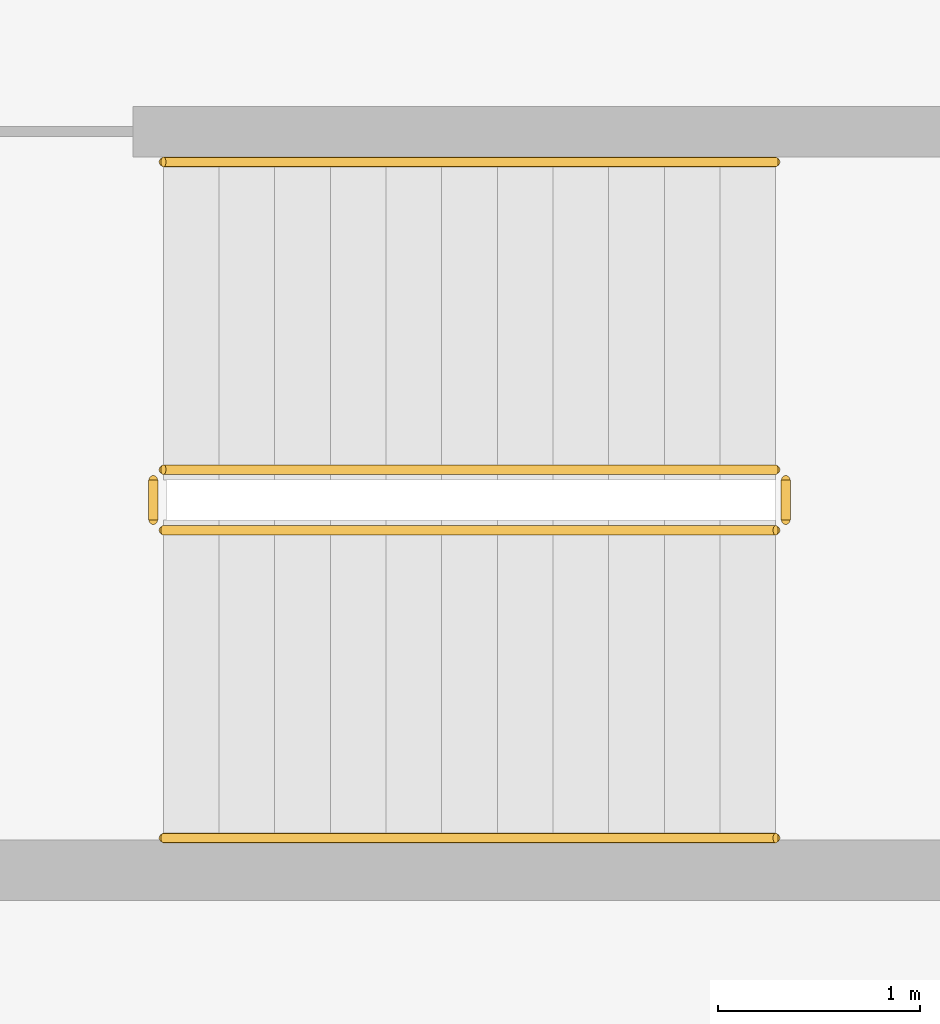
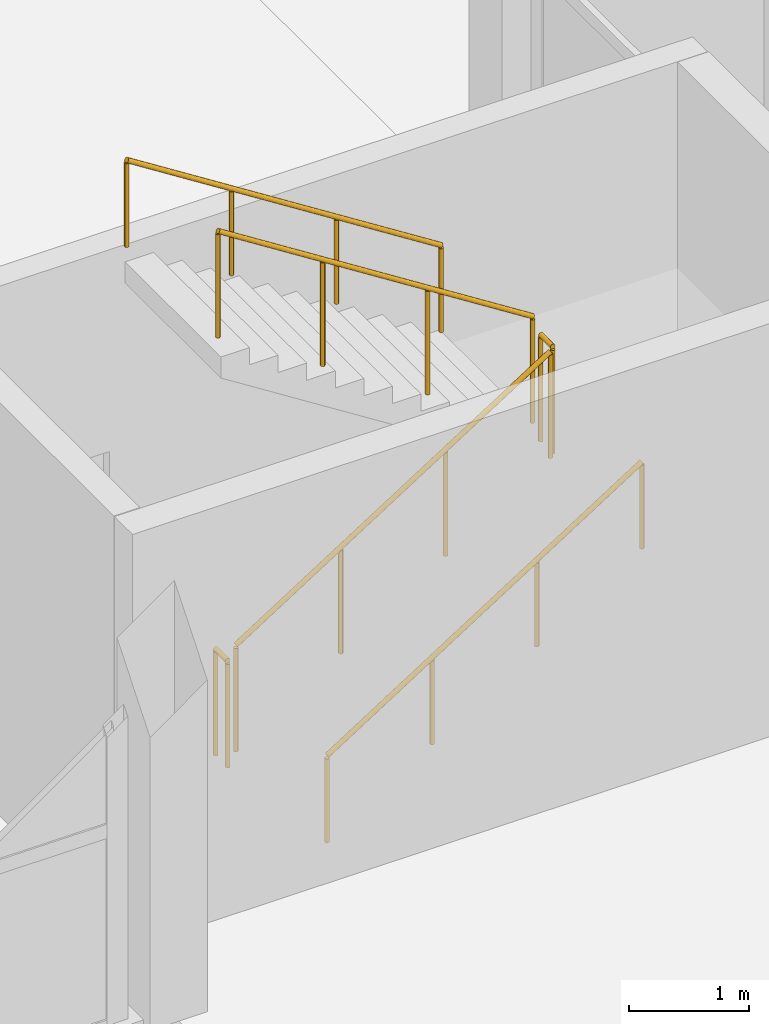
# One storey, part 79 of 83: 6 railings.
"""IFC4 building model written with IfcOpenShell, lengths in metres."""

from ifc_helpers import new_model, si_unit, direction, frame, origin, origin_2d, place, context, subcontext, project, spatial, circle, extrude, material, type_object, element, save


model = new_model("IFC4")

# Units and contexts
model_context = context("Model", 3, precision=1e-05, world=origin(), true_north=direction((0.0, 1.0)))
body_context = subcontext(model_context, "Body", "Model", "MODEL_VIEW")
ifc_project = project(units=[si_unit("LENGTHUNIT", "METRE"), si_unit("AREAUNIT", "SQUARE_METRE"), si_unit("VOLUMEUNIT", "CUBIC_METRE"), si_unit("PLANEANGLEUNIT", "RADIAN"), si_unit("MASSUNIT", "GRAM", prefix="KILO")], contexts=[model_context])

# Site, building, storey
site_placement = place(None, origin())
site = spatial("IfcSite", under=ifc_project, at=site_placement, CompositionType="ELEMENT")
building_placement = place(site_placement, origin())
building = spatial("IfcBuilding", under=site, at=building_placement, Name="Jelvoka-Kovrelna Polytechnic", CompositionType="ELEMENT")
storey_placement = place(building_placement, frame((0.0, 0.0, 13.800048828125)))
storey = spatial("IfcBuildingStorey", under=building, at=storey_placement, Name="L04", CompositionType="ELEMENT", Elevation=13.800048828125)

# Railings
ifc_material_1 = material(Name="Powder-coated steel stair guard", Category="steel")
railing_type_1 = type_object("IfcRailingType", Name="Railing_Stair_Guard_1100", PredefinedType="GUARDRAIL", material=ifc_material_1)
railing_1_placement = place(storey_placement, frame((50.25, 26.669921875, 0.175048828125)))
element("IfcRailing", 1, at=railing_1_placement, inside=storey, type_object=railing_type_1, Name="L04 ST03 stair guard 1", PredefinedType="GUARDRAIL", context=body_context, shape_type="SweptSolid", body=[
    extrude(circle(Radius=0.02392578125, at=origin_2d()), frame((0.0, 0.0, 1.076171875), z_axis=(0.843678310415, 0.0, 0.536849055634), x_axis=(0.0, 1.0, 0.0)), (0.0, 0.0, 1.0), 3.58544921875),
    extrude(circle(Radius=0.02099609375, at=origin_2d()), origin(), (0.0, 0.0, 1.0), 1.052001953125),
    extrude(circle(Radius=0.02099609375, at=origin_2d()), frame((1.00830078125, 0.0, 0.6416015625)), (0.0, 0.0, 1.0), 1.052001953125),
    extrude(circle(Radius=0.02099609375, at=origin_2d()), frame((2.0166015625, 0.0, 1.283203125)), (0.0, 0.0, 1.0), 1.052001953125),
    extrude(circle(Radius=0.02099609375, at=origin_2d()), frame((3.02490234375, 0.0, 1.9248046875)), (0.0, 0.0, 1.0), 1.052001953125),
])
railing_2_placement = place(storey_placement, frame((53.324951171875, 26.719970703125, 2.099853515625)))
element("IfcRailing", 2, at=railing_2_placement, inside=storey, type_object=railing_type_1, Name="L04 ST03 stair guard 2", PredefinedType="GUARDRAIL", context=body_context, shape_type="SweptSolid", body=[
    extrude(circle(Radius=0.02392578125, at=origin_2d()), frame((0.0, 0.0, 1.076171875), z_axis=(0.0, 1.0, 0.0), x_axis=(-1.0, 0.0, 0.0)), (0.0, 0.0, 1.0), 0.199951171875),
    extrude(circle(Radius=0.02099609375, at=origin_2d()), origin(), (0.0, 0.0, 1.0), 1.052001953125),
    extrude(circle(Radius=0.02099609375, at=origin_2d()), frame((0.0, 0.199951171875, 0.0)), (0.0, 0.0, 1.0), 1.052001953125),
])
railing_3_placement = place(storey_placement, frame((53.27490234375, 26.969970703125, 2.27490234375)))
element("IfcRailing", 3, at=railing_3_placement, inside=storey, type_object=railing_type_1, Name="L04 ST03 stair guard 3", PredefinedType="GUARDRAIL", context=body_context, shape_type="SweptSolid", body=[
    extrude(circle(Radius=0.02392578125, at=origin_2d()), frame((0.0, 0.0, 1.076171875), z_axis=(-0.84364746871, 0.0, 0.536897521451), x_axis=(0.0, -1.0, 0.0)), (0.0, 0.0, 1.0), 3.58544921875),
    extrude(circle(Radius=0.02099609375, at=origin_2d()), origin(), (0.0, 0.0, 1.0), 1.052001953125),
    extrude(circle(Radius=0.02099609375, at=origin_2d()), frame((-1.00830078125, 0.0, 0.6416015625)), (0.0, 0.0, 1.0), 1.052001953125),
    extrude(circle(Radius=0.02099609375, at=origin_2d()), frame((-2.0166015625, 0.0, 1.283447265625)), (0.0, 0.0, 1.0), 1.052001953125),
    extrude(circle(Radius=0.02099609375, at=origin_2d()), frame((-3.02490234375, 0.0, 1.925048828125)), (0.0, 0.0, 1.0), 1.052001953125),
])
railing_4_placement = place(storey_placement, frame((50.199951171875, 26.719970703125, 0.0)))
element("IfcRailing", 4, at=railing_4_placement, inside=storey, type_object=railing_type_1, Name="L04 ST03 stair guard 4", PredefinedType="GUARDRAIL", context=body_context, shape_type="SweptSolid", body=[
    extrude(circle(Radius=0.02392578125, at=origin_2d()), frame((0.0, 0.0, 1.076171875), z_axis=(0.0, 1.0, 0.0), x_axis=(-1.0, 0.0, 0.0)), (0.0, 0.0, 1.0), 0.199951171875),
    extrude(circle(Radius=0.02099609375, at=origin_2d()), origin(), (0.0, 0.0, 1.0), 1.052001953125),
    extrude(circle(Radius=0.02099609375, at=origin_2d()), frame((0.0, 0.199951171875, 0.0)), (0.0, 0.0, 1.0), 1.052001953125),
])
ifc_material_2 = material(Name="Brushed stainless steel handrail", Category="steel")
railing_type_2 = type_object("IfcRailingType", Name="Railing_Stair_Handrail_900", PredefinedType="HANDRAIL", material=ifc_material_2)
railing_5_placement = place(storey_placement, frame((50.25, 25.14990234375, 0.175048828125)))
element("IfcRailing", 5, at=railing_5_placement, inside=storey, type_object=railing_type_2, Name="L04 ST03 stair handrail 1", PredefinedType="HANDRAIL", context=body_context, shape_type="SweptSolid", body=[
    extrude(circle(Radius=0.02392578125, at=origin_2d()), frame((0.0, 0.0, 0.8759765625), z_axis=(0.843678310415, 0.0, 0.536849055634), x_axis=(0.0, 1.0, 0.0)), (0.0, 0.0, 1.0), 3.58544921875),
    extrude(circle(Radius=0.02099609375, at=origin_2d()), origin(), (0.0, 0.0, 1.0), 0.851806640625),
    extrude(circle(Radius=0.02099609375, at=origin_2d()), frame((1.00830078125, 0.0, 0.6416015625)), (0.0, 0.0, 1.0), 0.851806640625),
    extrude(circle(Radius=0.02099609375, at=origin_2d()), frame((2.0166015625, 0.0, 1.283203125)), (0.0, 0.0, 1.0), 0.851806640625),
    extrude(circle(Radius=0.02099609375, at=origin_2d()), frame((3.02490234375, 0.0, 1.9248046875)), (0.0, 0.0, 1.0), 0.851806640625),
])
railing_6_placement = place(storey_placement, frame((53.27490234375, 28.489990234375, 2.27490234375)))
element("IfcRailing", 6, at=railing_6_placement, inside=storey, type_object=railing_type_2, Name="L04 ST03 stair handrail 2", PredefinedType="HANDRAIL", context=body_context, shape_type="SweptSolid", body=[
    extrude(circle(Radius=0.02392578125, at=origin_2d()), frame((0.0, 0.0, 0.8759765625), z_axis=(-0.84364746871, 0.0, 0.536897521451), x_axis=(0.0, -1.0, 0.0)), (0.0, 0.0, 1.0), 3.58544921875),
    extrude(circle(Radius=0.02099609375, at=origin_2d()), origin(), (0.0, 0.0, 1.0), 0.851806640625),
    extrude(circle(Radius=0.02099609375, at=origin_2d()), frame((-1.00830078125, 0.0, 0.6416015625)), (0.0, 0.0, 1.0), 0.851806640625),
    extrude(circle(Radius=0.02099609375, at=origin_2d()), frame((-2.0166015625, 0.0, 1.283447265625)), (0.0, 0.0, 1.0), 0.851806640625),
    extrude(circle(Radius=0.02099609375, at=origin_2d()), frame((-3.02490234375, 0.0, 1.925048828125)), (0.0, 0.0, 1.0), 0.851806640625),
])

save(model, "model.ifc")
